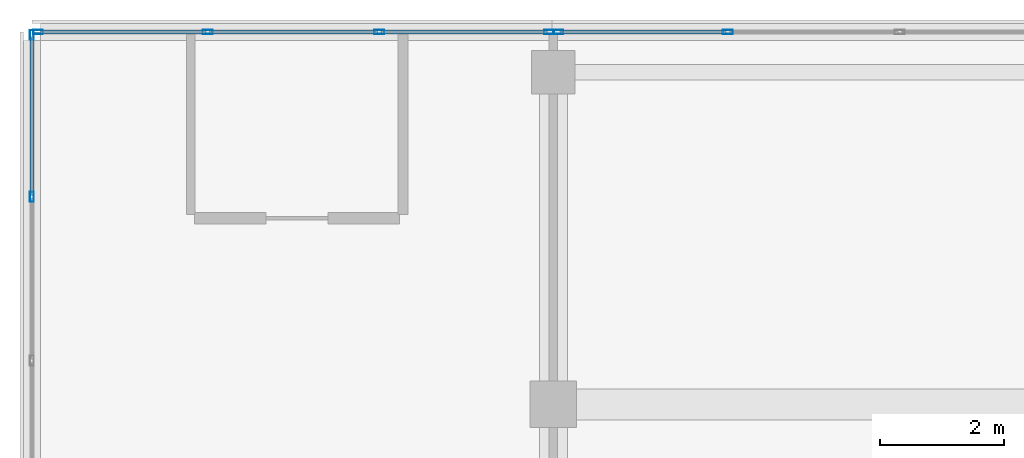
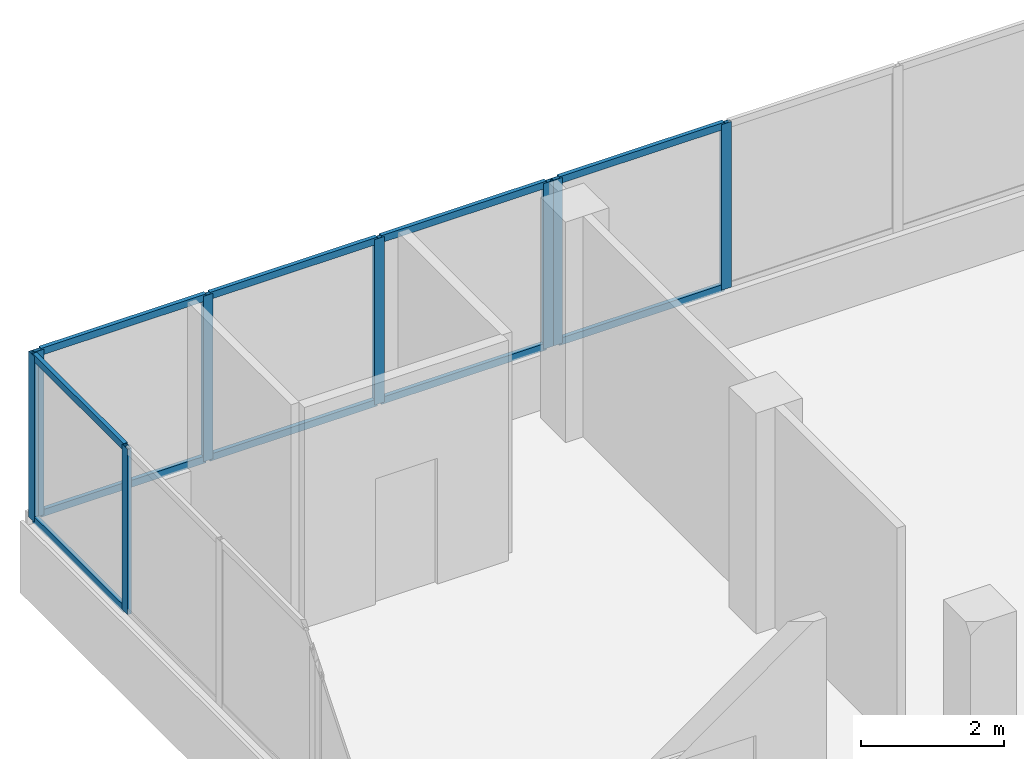
# One storey, part 35 of 101: 18 members, 3 elements without a shape of their own.
"""IFC4 building model written with IfcOpenShell, lengths in metres."""

from ifc_helpers import new_model, si_unit, direction, frame, origin, origin_2d, place, context, subcontext, project, spatial, hollow_rectangle, extrude, material, material_profile, profile_set, type_object, element, aggregate, save


model = new_model("IFC4")

# Units and contexts
model_context = context("Model", 3, precision=1e-05, world=origin(), true_north=direction((0.0, 1.0)))
body_context = subcontext(model_context, "Body", "Model", "MODEL_VIEW")
ifc_project = project(units=[si_unit("LENGTHUNIT", "METRE"), si_unit("AREAUNIT", "SQUARE_METRE"), si_unit("VOLUMEUNIT", "CUBIC_METRE"), si_unit("PLANEANGLEUNIT", "RADIAN"), si_unit("MASSUNIT", "GRAM", prefix="KILO")], contexts=[model_context])

# Site, building, storey
site_placement = place(None, origin())
site = spatial("IfcSite", under=ifc_project, at=site_placement, CompositionType="ELEMENT")
building_placement = place(site_placement, origin())
building = spatial("IfcBuilding", under=site, at=building_placement, Name="Selatvlak General Hospital", CompositionType="ELEMENT")
storey_placement = place(building_placement, frame((0.0, 0.0, 19.199951171875)))
storey = spatial("IfcBuildingStorey", under=building, at=storey_placement, Name="L04", CompositionType="ELEMENT", Elevation=19.199951171875)

# Curtain wall, members
ifc_material_1 = material(Name="Solar-control Low-E double glazing", Category="glass")
curtain_wall_type_1 = type_object("IfcCurtainWallType", Name="CW-CW-01", PredefinedType="USERDEFINED", material=ifc_material_1)
curtain_wall_1_placement = place(storey_placement, origin())
curtain_wall_1 = element("IfcCurtainWall", 1, at=curtain_wall_1_placement, inside=storey, type_object=curtain_wall_type_1, Name="Glazed facade curtain wall CW-L04-0479", ObjectType="UNITISED CURTAIN WALL", PredefinedType="USERDEFINED")
ifc_material_2 = material(Name="Dark anodised aluminium mullion", Category="aluminium")
ifc_material_profile_1 = material_profile(ifc_material_2, hollow_rectangle(XDim=0.06494140625, YDim=0.159912109375, WallThickness=0.00390625, at=origin_2d()), Name="AL-MUL 65x160x4")
ifc_profile_set_1 = profile_set([ifc_material_profile_1], Name="Dark anodised aluminium mullion")
member_type_1 = type_object("IfcMemberType", Name="CWM-01", PredefinedType="MULLION", material=ifc_profile_set_1)
member_1_placement = place(storey_placement, frame((14.39990234375, 117.343994140625, 0.93994140625), z_axis=(0.0, 0.0, 1.0), x_axis=(-1.0, 0.0, 0.0)))
member_1 = element("IfcMember", 2, at=member_1_placement, type_object=member_type_1, Name="CW-01 mullion 3", PredefinedType="MULLION", context=body_context, shape_type="SweptSolid", body=[
    extrude(hollow_rectangle(XDim=0.06494140625, YDim=0.159912109375, WallThickness=0.00390625, at=origin_2d()), origin(), (0.0, 0.0, 1.0), 2.830078125),
])
member_2_placement = place(storey_placement, frame((14.39990234375, 119.951416015625, 0.93994140625), z_axis=(0.0, 0.0, 1.0), x_axis=(-1.0, 0.0, 0.0)))
member_2 = element("IfcMember", 3, at=member_2_placement, type_object=member_type_1, Name="CW-01 mullion 4", PredefinedType="MULLION", context=body_context, shape_type="SweptSolid", body=[
    extrude(hollow_rectangle(XDim=0.06494140625, YDim=0.159912109375, WallThickness=0.00390625, at=origin_2d()), origin(), (0.0, 0.0, 1.0), 2.830078125),
])

curtain_wall_type_2 = type_object("IfcCurtainWallType", Name="CW-CW-02", PredefinedType="USERDEFINED", material=ifc_material_1)
curtain_wall_2_placement = place(storey_placement, origin())
curtain_wall_2 = element("IfcCurtainWall", 4, at=curtain_wall_2_placement, inside=storey, type_object=curtain_wall_type_2, Name="Glazed facade curtain wall CW-L04-0480", ObjectType="UNITISED CURTAIN WALL", PredefinedType="USERDEFINED")
member_3_placement = place(storey_placement, frame((14.49755859375, 119.9990234375, 0.93994140625), z_axis=(0.0, 0.0, 1.0), x_axis=(0.0, 1.0, 0.0)))
member_3 = element("IfcMember", 5, at=member_3_placement, type_object=member_type_1, Name="CW-02 mullion 1", PredefinedType="MULLION", context=body_context, shape_type="SweptSolid", body=[
    extrude(hollow_rectangle(XDim=0.06494140625, YDim=0.159912109375, WallThickness=0.00390625, at=origin_2d()), origin(), (0.0, 0.0, 1.0), 2.830078125),
])
member_4_placement = place(storey_placement, frame((17.231689453125, 119.9990234375, 0.93994140625), z_axis=(0.0, 0.0, 1.0), x_axis=(0.0, 1.0, 0.0)))
member_4 = element("IfcMember", 6, at=member_4_placement, type_object=member_type_1, Name="CW-02 mullion 2", PredefinedType="MULLION", context=body_context, shape_type="SweptSolid", body=[
    extrude(hollow_rectangle(XDim=0.06494140625, YDim=0.159912109375, WallThickness=0.00390625, at=origin_2d()), origin(), (0.0, 0.0, 1.0), 2.830078125),
])
member_5_placement = place(storey_placement, frame((19.998291015625, 119.9990234375, 0.93994140625), z_axis=(0.0, 0.0, 1.0), x_axis=(0.0, 1.0, 0.0)))
member_5 = element("IfcMember", 7, at=member_5_placement, type_object=member_type_1, Name="CW-02 mullion 3", PredefinedType="MULLION", context=body_context, shape_type="SweptSolid", body=[
    extrude(hollow_rectangle(XDim=0.06494140625, YDim=0.159912109375, WallThickness=0.00390625, at=origin_2d()), origin(), (0.0, 0.0, 1.0), 2.830078125),
])
member_6_placement = place(storey_placement, frame((22.732421875, 119.9990234375, 0.93994140625), z_axis=(0.0, 0.0, 1.0), x_axis=(0.0, 1.0, 0.0)))
member_6 = element("IfcMember", 8, at=member_6_placement, type_object=member_type_1, Name="CW-02 mullion 4", PredefinedType="MULLION", context=body_context, shape_type="SweptSolid", body=[
    extrude(hollow_rectangle(XDim=0.06494140625, YDim=0.159912109375, WallThickness=0.00390625, at=origin_2d()), origin(), (0.0, 0.0, 1.0), 2.830078125),
])

curtain_wall_3_placement = place(storey_placement, origin())
curtain_wall_3 = element("IfcCurtainWall", 9, at=curtain_wall_3_placement, inside=storey, type_object=curtain_wall_type_1, Name="Glazed facade curtain wall CW-L04-0481", ObjectType="UNITISED CURTAIN WALL", PredefinedType="USERDEFINED")
member_7_placement = place(storey_placement, frame((22.87744140625, 119.9990234375, 0.93994140625), z_axis=(0.0, 0.0, 1.0), x_axis=(0.0, 1.0, 0.0)))
member_7 = element("IfcMember", 10, at=member_7_placement, type_object=member_type_1, Name="CW-01 mullion 1", PredefinedType="MULLION", context=body_context, shape_type="SweptSolid", body=[
    extrude(hollow_rectangle(XDim=0.06494140625, YDim=0.159912109375, WallThickness=0.00390625, at=origin_2d()), origin(), (0.0, 0.0, 1.0), 2.830078125),
])
member_8_placement = place(storey_placement, frame((25.611572265625, 119.9990234375, 0.93994140625), z_axis=(0.0, 0.0, 1.0), x_axis=(0.0, 1.0, 0.0)))
member_8 = element("IfcMember", 11, at=member_8_placement, type_object=member_type_1, Name="CW-01 mullion 2", PredefinedType="MULLION", context=body_context, shape_type="SweptSolid", body=[
    extrude(hollow_rectangle(XDim=0.06494140625, YDim=0.159912109375, WallThickness=0.00390625, at=origin_2d()), origin(), (0.0, 0.0, 1.0), 2.830078125),
])

# Member
ifc_material_profile_2 = material_profile(ifc_material_2, hollow_rectangle(XDim=0.06494140625, YDim=0.1201171875, WallThickness=0.00390625, at=origin_2d()), Name="AL-TRN 65x120x4")
ifc_profile_set_2 = profile_set([ifc_material_profile_2], Name="Dark anodised aluminium mullion")
member_type_2 = type_object("IfcMemberType", Name="CWT-01", PredefinedType="USERDEFINED", material=ifc_profile_set_2)
member_9_placement = place(storey_placement, frame((14.39990234375, 117.37646484375, 0.97265625), z_axis=(0.0, 1.0, 0.0), x_axis=(-1.0, 0.0, 0.0)))
member_9 = element("IfcMember", 12, at=member_9_placement, type_object=member_type_2, Name="CW-01 transom 3.1", ObjectType="TRANSOM", PredefinedType="USERDEFINED", context=body_context, shape_type="SweptSolid", body=[
    extrude(hollow_rectangle(XDim=0.06494140625, YDim=0.1201171875, WallThickness=0.00390625, at=origin_2d()), origin(), (0.0, 0.0, 1.0), 2.54248046875),
])

member_10_placement = place(storey_placement, frame((14.39990234375, 117.37646484375, 3.737548828125), z_axis=(0.0, 1.0, 0.0), x_axis=(-1.0, 0.0, 0.0)))
member_10 = element("IfcMember", 13, at=member_10_placement, type_object=member_type_2, Name="CW-01 transom 3.2", ObjectType="TRANSOM", PredefinedType="USERDEFINED", context=body_context, shape_type="SweptSolid", body=[
    extrude(hollow_rectangle(XDim=0.06494140625, YDim=0.1201171875, WallThickness=0.00390625, at=origin_2d()), origin(), (0.0, 0.0, 1.0), 2.54248046875),
])

aggregate(curtain_wall_1, [member_1, member_2, member_9, member_10])

member_11_placement = place(storey_placement, frame((14.530029296875, 119.9990234375, 0.97265625), z_axis=(1.0, 0.0, 0.0), x_axis=(0.0, 1.0, 0.0)))
member_11 = element("IfcMember", 14, at=member_11_placement, type_object=member_type_2, Name="CW-02 transom 1.1", ObjectType="TRANSOM", PredefinedType="USERDEFINED", context=body_context, shape_type="SweptSolid", body=[
    extrude(hollow_rectangle(XDim=0.06494140625, YDim=0.1201171875, WallThickness=0.00390625, at=origin_2d()), origin(), (0.0, 0.0, 1.0), 2.669189453125),
])

member_12_placement = place(storey_placement, frame((14.530029296875, 119.9990234375, 3.737548828125), z_axis=(1.0, 0.0, 0.0), x_axis=(0.0, 1.0, 0.0)))
member_12 = element("IfcMember", 15, at=member_12_placement, type_object=member_type_2, Name="CW-02 transom 1.2", ObjectType="TRANSOM", PredefinedType="USERDEFINED", context=body_context, shape_type="SweptSolid", body=[
    extrude(hollow_rectangle(XDim=0.06494140625, YDim=0.1201171875, WallThickness=0.00390625, at=origin_2d()), origin(), (0.0, 0.0, 1.0), 2.669189453125),
])

member_13_placement = place(storey_placement, frame((17.26416015625, 119.9990234375, 0.97265625), z_axis=(1.0, 0.0, 0.0), x_axis=(0.0, 1.0, 0.0)))
member_13 = element("IfcMember", 16, at=member_13_placement, type_object=member_type_2, Name="CW-02 transom 2.1", ObjectType="TRANSOM", PredefinedType="USERDEFINED", context=body_context, shape_type="SweptSolid", body=[
    extrude(hollow_rectangle(XDim=0.06494140625, YDim=0.1201171875, WallThickness=0.00390625, at=origin_2d()), origin(), (0.0, 0.0, 1.0), 2.70166015625),
])

member_14_placement = place(storey_placement, frame((17.26416015625, 119.9990234375, 3.737548828125), z_axis=(1.0, 0.0, 0.0), x_axis=(0.0, 1.0, 0.0)))
member_14 = element("IfcMember", 17, at=member_14_placement, type_object=member_type_2, Name="CW-02 transom 2.2", ObjectType="TRANSOM", PredefinedType="USERDEFINED", context=body_context, shape_type="SweptSolid", body=[
    extrude(hollow_rectangle(XDim=0.06494140625, YDim=0.1201171875, WallThickness=0.00390625, at=origin_2d()), origin(), (0.0, 0.0, 1.0), 2.70166015625),
])

member_15_placement = place(storey_placement, frame((20.03076171875, 119.9990234375, 0.97265625), z_axis=(1.0, 0.0, 0.0), x_axis=(0.0, 1.0, 0.0)))
member_15 = element("IfcMember", 18, at=member_15_placement, type_object=member_type_2, Name="CW-02 transom 3.1", ObjectType="TRANSOM", PredefinedType="USERDEFINED", context=body_context, shape_type="SweptSolid", body=[
    extrude(hollow_rectangle(XDim=0.06494140625, YDim=0.1201171875, WallThickness=0.00390625, at=origin_2d()), origin(), (0.0, 0.0, 1.0), 2.669189453125),
])

member_16_placement = place(storey_placement, frame((20.03076171875, 119.9990234375, 3.737548828125), z_axis=(1.0, 0.0, 0.0), x_axis=(0.0, 1.0, 0.0)))
member_16 = element("IfcMember", 19, at=member_16_placement, type_object=member_type_2, Name="CW-02 transom 3.2", ObjectType="TRANSOM", PredefinedType="USERDEFINED", context=body_context, shape_type="SweptSolid", body=[
    extrude(hollow_rectangle(XDim=0.06494140625, YDim=0.1201171875, WallThickness=0.00390625, at=origin_2d()), origin(), (0.0, 0.0, 1.0), 2.669189453125),
])

aggregate(curtain_wall_2, [member_3, member_4, member_5, member_6, member_11, member_12, member_13, member_14, member_15, member_16])

member_17_placement = place(storey_placement, frame((22.909912109375, 119.9990234375, 0.97265625), z_axis=(1.0, 0.0, 0.0), x_axis=(0.0, 1.0, 0.0)))
member_17 = element("IfcMember", 20, at=member_17_placement, type_object=member_type_2, Name="CW-01 transom 1.1", ObjectType="TRANSOM", PredefinedType="USERDEFINED", context=body_context, shape_type="SweptSolid", body=[
    extrude(hollow_rectangle(XDim=0.06494140625, YDim=0.1201171875, WallThickness=0.00390625, at=origin_2d()), origin(), (0.0, 0.0, 1.0), 2.669189453125),
])

member_18_placement = place(storey_placement, frame((22.909912109375, 119.9990234375, 3.737548828125), z_axis=(1.0, 0.0, 0.0), x_axis=(0.0, 1.0, 0.0)))
member_18 = element("IfcMember", 21, at=member_18_placement, type_object=member_type_2, Name="CW-01 transom 1.2", ObjectType="TRANSOM", PredefinedType="USERDEFINED", context=body_context, shape_type="SweptSolid", body=[
    extrude(hollow_rectangle(XDim=0.06494140625, YDim=0.1201171875, WallThickness=0.00390625, at=origin_2d()), origin(), (0.0, 0.0, 1.0), 2.669189453125),
])

aggregate(curtain_wall_3, [member_7, member_8, member_17, member_18])

save(model, "model.ifc")
